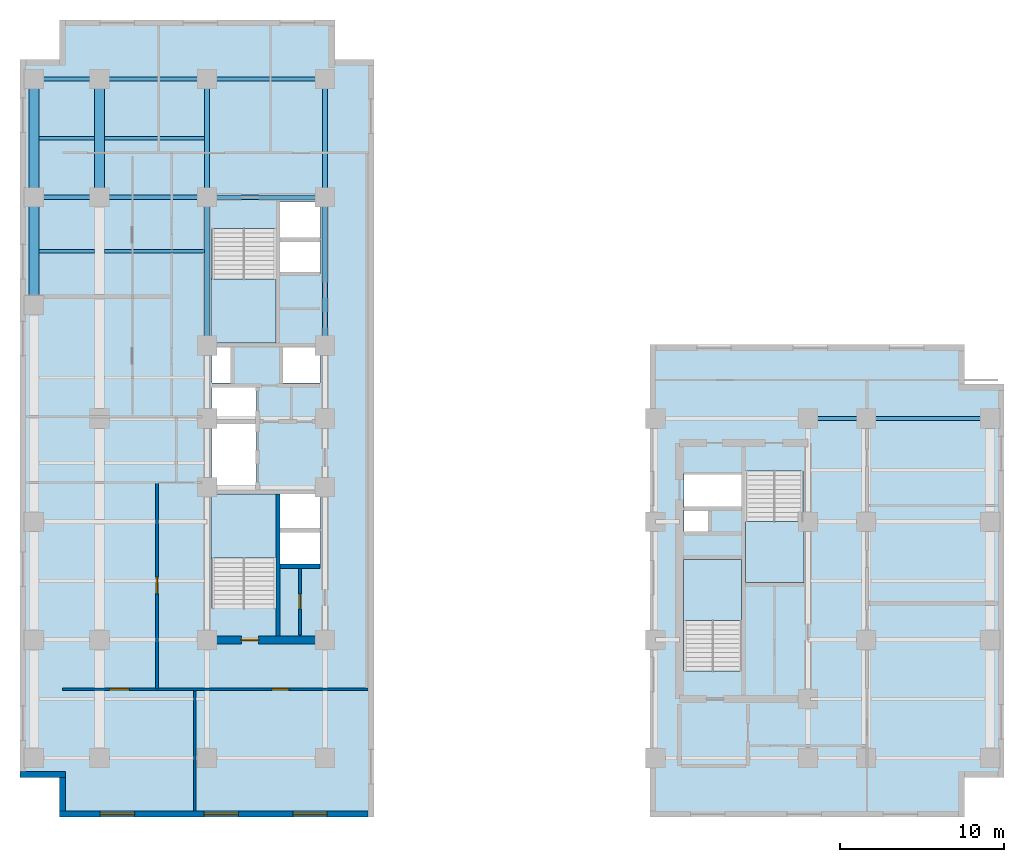
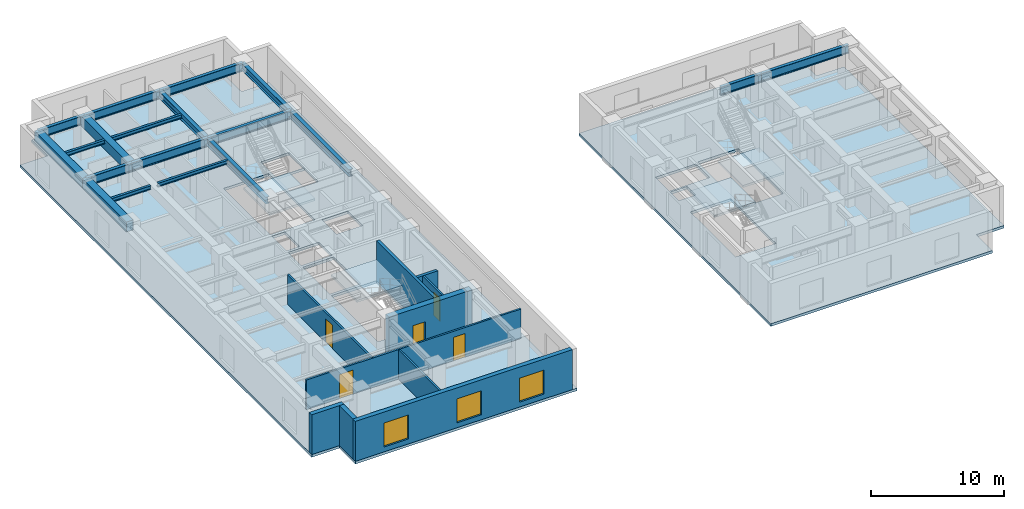
# One storey, part 2 of 9: 19 beams, 10 walls, 6 slabs, 5 doors, 3 windows, 8 openings, 4 elements without a shape of their own.
"""IFC4 building model written with IfcOpenShell, lengths in metres."""

from ifc_helpers import new_model, entity, si_unit, converted_unit, direction, frame, origin_with_axes, origin_2d_with_axis, place, context, subcontext, project, spatial, polyline, rectangle, i_section, outline, extrude, material, layer, layer_set, material_profile, profile_set, type_object, element, fill, aggregate, save


model = new_model("IFC4")

# Units and contexts
model_context = context("Model", 3, precision=1e-05, world=origin_with_axes(), true_north=direction((0.0, 1.0)))
body_context = subcontext(model_context, "Body", "Model", "MODEL_VIEW")
ifc_project = project(units=[si_unit("LENGTHUNIT", "METRE"), si_unit("AREAUNIT", "SQUARE_METRE"), si_unit("VOLUMEUNIT", "CUBIC_METRE"), converted_unit("PLANEANGLEUNIT", "DEGREE", entity("IfcPlaneAngleMeasure", 0.017453292519943295), si_unit("PLANEANGLEUNIT", "RADIAN"), dimensions=[0, 0, 0, 0, 0, 0, 0]), si_unit("MASSUNIT", "GRAM", prefix="KILO"), si_unit("THERMODYNAMICTEMPERATUREUNIT", "KELVIN")], contexts=[model_context])

# Site, building, storey
site_placement = place(None, origin_with_axes())
site = spatial("IfcSite", under=ifc_project, at=site_placement, CompositionType="ELEMENT")
building_placement = place(site_placement, origin_with_axes())
building = spatial("IfcBuilding", under=site, at=building_placement, Name="Varnlund Millrace Tower", CompositionType="ELEMENT")
storey_placement = place(building_placement, frame((0.0, 0.0, 112.5), z_axis=(0.0, 0.0, 1.0), x_axis=(1.0, 0.0, 0.0)))
storey = spatial("IfcBuildingStorey", under=building, at=storey_placement, Name="L27", CompositionType="ELEMENT", Elevation=112.5)

# Beams
ifc_material_1 = material(Name="Steel ASTM A992 Grade 50", Category="steel")
ifc_material_profile_1 = material_profile(ifc_material_1, i_section(OverallWidth=0.328, OverallDepth=0.628, WebThickness=0.0165, FlangeThickness=0.0277, FilletRadius=0.018, at=origin_2d_with_axis()), Name="Steel ASTM A992 Grade 50")
ifc_profile_set_1 = profile_set([ifc_material_profile_1], Name="Steel ASTM A992 Grade 50")
beam_type_1 = type_object("IfcBeamType", Name="Type-Girder-W24X146", PredefinedType="USERDEFINED", material=ifc_profile_set_1)
beam_1_placement = place(storey_placement, frame((11.4, 28.75, 3.346), z_axis=(0.0, 1.0, 0.0), x_axis=(-1.0, 0.0, 0.0)))
element("IfcBeam", 1, at=beam_1_placement, inside=storey, type_object=beam_type_1, Name="Type-Girder-W24X146", ObjectType="GIRDER", PredefinedType="USERDEFINED", context=body_context, shape_type="SweptSolid", body=[
    extrude(i_section(OverallWidth=0.328, OverallDepth=0.628, WebThickness=0.0165, FlangeThickness=0.0277, FilletRadius=0.018, at=origin_2d_with_axis()), origin_with_axes(), (0.0, 0.0, 1.0), 9.05),
])
beam_2_placement = place(storey_placement, frame((11.4, 37.8, 3.346), z_axis=(0.0, 1.0, 0.0), x_axis=(-1.0, 0.0, 0.0)))
element("IfcBeam", 2, at=beam_2_placement, inside=storey, type_object=beam_type_1, Name="Type-Girder-W24X146", ObjectType="GIRDER", PredefinedType="USERDEFINED", context=body_context, shape_type="SweptSolid", body=[
    extrude(i_section(OverallWidth=0.328, OverallDepth=0.628, WebThickness=0.0165, FlangeThickness=0.0277, FilletRadius=0.018, at=origin_2d_with_axis()), origin_with_axes(), (0.0, 0.0, 1.0), 7.2),
])
beam_3_placement = place(storey_placement, frame((18.6, 28.75, 3.346), z_axis=(0.0, 1.0, 0.0), x_axis=(-1.0, 0.0, 0.0)))
element("IfcBeam", 3, at=beam_3_placement, inside=storey, type_object=beam_type_1, Name="Type-Girder-W24X146", ObjectType="GIRDER", PredefinedType="USERDEFINED", context=body_context, shape_type="SweptSolid", body=[
    extrude(i_section(OverallWidth=0.328, OverallDepth=0.628, WebThickness=0.0165, FlangeThickness=0.0277, FilletRadius=0.018, at=origin_2d_with_axis()), origin_with_axes(), (0.0, 0.0, 1.0), 9.05),
])
beam_4_placement = place(storey_placement, frame((18.6, 37.8, 3.346), z_axis=(0.0, 1.0, 0.0), x_axis=(-1.0, 0.0, 0.0)))
element("IfcBeam", 4, at=beam_4_placement, inside=storey, type_object=beam_type_1, Name="Type-Girder-W24X146", ObjectType="GIRDER", PredefinedType="USERDEFINED", context=body_context, shape_type="SweptSolid", body=[
    extrude(i_section(OverallWidth=0.328, OverallDepth=0.628, WebThickness=0.0165, FlangeThickness=0.0277, FilletRadius=0.018, at=origin_2d_with_axis()), origin_with_axes(), (0.0, 0.0, 1.0), 7.2),
])
ifc_material_profile_2 = material_profile(ifc_material_1, i_section(OverallWidth=0.266, OverallDepth=0.779, WebThickness=0.0165, FlangeThickness=0.03, FilletRadius=0.02, at=origin_2d_with_axis()), Name="Steel ASTM A992 Grade 50")
ifc_profile_set_2 = profile_set([ifc_material_profile_2], Name="Steel ASTM A992 Grade 50")
beam_type_2 = type_object("IfcBeamType", Name="Type-Girder-W30X148", PredefinedType="USERDEFINED", material=ifc_profile_set_2)
beam_5_placement = place(storey_placement, frame((48.05, 24.3, 3.2705), z_axis=(1.0, 0.0, 0.0), x_axis=(0.0, 1.0, 0.0)))
element("IfcBeam", 5, at=beam_5_placement, inside=storey, type_object=beam_type_2, Name="Type-Girder-W30X148", ObjectType="GIRDER", PredefinedType="USERDEFINED", context=body_context, shape_type="SweptSolid", body=[
    extrude(i_section(OverallWidth=0.266, OverallDepth=0.779, WebThickness=0.0165, FlangeThickness=0.03, FilletRadius=0.02, at=origin_2d_with_axis()), origin_with_axes(), (0.0, 0.0, 1.0), 3.55),
])
beam_6_placement = place(storey_placement, frame((51.6, 24.3, 3.2705), z_axis=(1.0, 0.0, 0.0), x_axis=(0.0, 1.0, 0.0)))
element("IfcBeam", 6, at=beam_6_placement, inside=storey, type_object=beam_type_2, Name="Type-Girder-W30X148", ObjectType="GIRDER", PredefinedType="USERDEFINED", context=body_context, shape_type="SweptSolid", body=[
    extrude(i_section(OverallWidth=0.266, OverallDepth=0.779, WebThickness=0.0165, FlangeThickness=0.03, FilletRadius=0.02, at=origin_2d_with_axis()), origin_with_axes(), (0.0, 0.0, 1.0), 7.55),
])
beam_7_placement = place(storey_placement, frame((0.85, 37.8, 3.2705), z_axis=(1.0, 0.0, 0.0), x_axis=(0.0, 1.0, 0.0)))
element("IfcBeam", 7, at=beam_7_placement, inside=storey, type_object=beam_type_2, Name="Type-Girder-W30X148", ObjectType="GIRDER", PredefinedType="USERDEFINED", context=body_context, shape_type="SweptSolid", body=[
    extrude(i_section(OverallWidth=0.266, OverallDepth=0.779, WebThickness=0.0165, FlangeThickness=0.03, FilletRadius=0.02, at=origin_2d_with_axis()), origin_with_axes(), (0.0, 0.0, 1.0), 4.0),
])
beam_8_placement = place(storey_placement, frame((4.85, 37.8, 3.2705), z_axis=(1.0, 0.0, 0.0), x_axis=(0.0, 1.0, 0.0)))
element("IfcBeam", 8, at=beam_8_placement, inside=storey, type_object=beam_type_2, Name="Type-Girder-W30X148", ObjectType="GIRDER", PredefinedType="USERDEFINED", context=body_context, shape_type="SweptSolid", body=[
    extrude(i_section(OverallWidth=0.266, OverallDepth=0.779, WebThickness=0.0165, FlangeThickness=0.03, FilletRadius=0.02, at=origin_2d_with_axis()), origin_with_axes(), (0.0, 0.0, 1.0), 6.55),
])
beam_9_placement = place(storey_placement, frame((11.4, 37.8, 3.2705), z_axis=(1.0, 0.0, 0.0), x_axis=(0.0, 1.0, 0.0)))
element("IfcBeam", 9, at=beam_9_placement, inside=storey, type_object=beam_type_2, Name="Type-Girder-W30X148", ObjectType="GIRDER", PredefinedType="USERDEFINED", context=body_context, shape_type="SweptSolid", body=[
    extrude(i_section(OverallWidth=0.266, OverallDepth=0.779, WebThickness=0.0165, FlangeThickness=0.03, FilletRadius=0.02, at=origin_2d_with_axis()), origin_with_axes(), (0.0, 0.0, 1.0), 7.2),
])
beam_10_placement = place(storey_placement, frame((0.85, 45.0, 3.2705), z_axis=(1.0, 0.0, 0.0), x_axis=(0.0, 1.0, 0.0)))
element("IfcBeam", 10, at=beam_10_placement, inside=storey, type_object=beam_type_2, Name="Type-Girder-W30X148", ObjectType="GIRDER", PredefinedType="USERDEFINED", context=body_context, shape_type="SweptSolid", body=[
    extrude(i_section(OverallWidth=0.266, OverallDepth=0.779, WebThickness=0.0165, FlangeThickness=0.03, FilletRadius=0.02, at=origin_2d_with_axis()), origin_with_axes(), (0.0, 0.0, 1.0), 4.0),
])
beam_11_placement = place(storey_placement, frame((4.85, 45.0, 3.2705), z_axis=(1.0, 0.0, 0.0), x_axis=(0.0, 1.0, 0.0)))
element("IfcBeam", 11, at=beam_11_placement, inside=storey, type_object=beam_type_2, Name="Type-Girder-W30X148", ObjectType="GIRDER", PredefinedType="USERDEFINED", context=body_context, shape_type="SweptSolid", body=[
    extrude(i_section(OverallWidth=0.266, OverallDepth=0.779, WebThickness=0.0165, FlangeThickness=0.03, FilletRadius=0.02, at=origin_2d_with_axis()), origin_with_axes(), (0.0, 0.0, 1.0), 6.55),
])
beam_12_placement = place(storey_placement, frame((11.4, 45.0, 3.2705), z_axis=(1.0, 0.0, 0.0), x_axis=(0.0, 1.0, 0.0)))
element("IfcBeam", 12, at=beam_12_placement, inside=storey, type_object=beam_type_2, Name="Type-Girder-W30X148", ObjectType="GIRDER", PredefinedType="USERDEFINED", context=body_context, shape_type="SweptSolid", body=[
    extrude(i_section(OverallWidth=0.266, OverallDepth=0.779, WebThickness=0.0165, FlangeThickness=0.03, FilletRadius=0.02, at=origin_2d_with_axis()), origin_with_axes(), (0.0, 0.0, 1.0), 7.2),
])
ifc_material_profile_3 = material_profile(ifc_material_1, i_section(OverallWidth=0.204, OverallDepth=0.35, WebThickness=0.0086, FlangeThickness=0.0151, FilletRadius=0.013, at=origin_2d_with_axis()), Name="Steel ASTM A992 Grade 50")
ifc_profile_set_3 = profile_set([ifc_material_profile_3], Name="Steel ASTM A992 Grade 50")
beam_type_3 = type_object("IfcBeamType", Name="Type-Joist-W14X48", PredefinedType="JOIST", material=ifc_profile_set_3)
for number, where, z_axis, x_axis, name in (
    (13, (1.15, 34.5, 3.485), (1.0, 0.0, 0.0), (0.0, 1.0, 0.0), "Type-Joist-W14X48"),
    (14, (1.15, 41.4, 3.485), (1.0, 0.0, 0.0), (0.0, 1.0, 0.0), "Type-Joist-W14X48"),
):
    element("IfcBeam", number, at=place(storey_placement, frame(where, z_axis=z_axis, x_axis=x_axis)), inside=storey, type_object=beam_type_3, Name=name, PredefinedType="JOIST", context=body_context, shape_type="SweptSolid", body=[
        extrude(i_section(OverallWidth=0.204, OverallDepth=0.35, WebThickness=0.0086, FlangeThickness=0.0151, FilletRadius=0.013, at=origin_2d_with_axis()), origin_with_axes(), (0.0, 0.0, 1.0), 3.4),
    ])
for number, where, z_axis, x_axis, name in (
    (15, (5.15, 34.5, 3.485), (1.0, 0.0, 0.0), (0.0, 1.0, 0.0), "Type-Joist-W14X48"),
    (16, (5.15, 41.4, 3.485), (1.0, 0.0, 0.0), (0.0, 1.0, 0.0), "Type-Joist-W14X48"),
):
    element("IfcBeam", number, at=place(storey_placement, frame(where, z_axis=z_axis, x_axis=x_axis)), inside=storey, type_object=beam_type_3, Name=name, PredefinedType="JOIST", context=body_context, shape_type="SweptSolid", body=[
        extrude(i_section(OverallWidth=0.204, OverallDepth=0.35, WebThickness=0.0086, FlangeThickness=0.0151, FilletRadius=0.013, at=origin_2d_with_axis()), origin_with_axes(), (0.0, 0.0, 1.0), 6.086),
    ])
ifc_material_2 = material(Name="Concrete C70/85", Category="concrete")
ifc_material_profile_4 = material_profile(ifc_material_2, rectangle(XDim=0.6, YDim=0.9, at=origin_2d_with_axis()), Name="Concrete C70/85")
ifc_profile_set_4 = profile_set([ifc_material_profile_4], Name="Concrete C70/85")
beam_type_4 = type_object("IfcBeamType", Name="Type-Spandrel-RC600X900", PredefinedType="SPANDREL", material=ifc_profile_set_4)
beam_13_placement = place(storey_placement, frame((0.85, 31.2, 3.21), z_axis=(0.0, 1.0, 0.0), x_axis=(-1.0, 0.0, 0.0)))
element("IfcBeam", 17, at=beam_13_placement, inside=storey, type_object=beam_type_4, Name="Type-Spandrel-RC600X900", PredefinedType="SPANDREL", context=body_context, shape_type="SweptSolid", body=[
    extrude(rectangle(XDim=0.6, YDim=0.9, at=origin_2d_with_axis()), origin_with_axes(), (0.0, 0.0, 1.0), 6.6),
])
for number, where, z_axis, x_axis, name in (
    (18, (0.85, 37.8, 3.21), (0.0, 1.0, 0.0), (-1.0, 0.0, 0.0), "Type-Spandrel-RC600X900"),
    (19, (4.85, 37.8, 3.21), (0.0, 1.0, 0.0), (-1.0, 0.0, 0.0), "Type-Spandrel-RC600X900"),
):
    element("IfcBeam", number, at=place(storey_placement, frame(where, z_axis=z_axis, x_axis=x_axis)), inside=storey, type_object=beam_type_4, Name=name, PredefinedType="SPANDREL", context=body_context, shape_type="SweptSolid", body=[
        extrude(rectangle(XDim=0.6, YDim=0.9, at=origin_2d_with_axis()), origin_with_axes(), (0.0, 0.0, 1.0), 7.2),
    ])

# Slabs
ifc_material_3 = material(Name="Concrete C60/75", Category="concrete")
ifc_layer_1 = layer(ifc_material_3, 0.24, Name="Concrete C60/75")
ifc_layer_set_1 = layer_set([ifc_layer_1], Name="Concrete C60/75")
slab_type_1 = type_object("IfcSlabType", Name="Type-Deck-Plate-Typical-240", PredefinedType="FLOOR", material=ifc_layer_set_1)
slab_1_placement = place(storey_placement, frame((0.0, 0.0, -0.24), z_axis=(0.0, 0.0, 1.0), x_axis=(1.0, 0.0, 0.0)))
element("IfcSlab", 20, at=slab_1_placement, inside=storey, type_object=slab_type_1, Name="Type-Deck-Plate-Typical-240", PredefinedType="FLOOR", context=body_context, shape_type="SweptSolid", body=[
    extrude(outline(polyline([(2.4, 2.4), (2.4, 0.0), (21.6, 0.0), (21.6, 46.2), (19.2, 46.2), (19.2, 48.6), (2.4, 48.6), (2.4, 46.2), (0.0, 46.2), (0.0, 2.4), (2.4, 2.4)]), holes=[polyline([(15.6, 19.7), (15.6, 12.715), (11.7, 12.715), (11.7, 19.7), (15.6, 19.7)]), polyline([(11.7, 23.98), (14.38, 23.98), (14.38, 19.94), (11.7, 19.94), (11.7, 23.98)]), polyline([(14.38, 24.24), (11.7, 24.24), (11.7, 26.2), (14.38, 26.2), (14.38, 24.24)]), polyline([(12.84, 26.46), (11.7, 26.46), (11.7, 28.65), (12.84, 28.65), (12.84, 26.46)]), polyline([(15.6, 35.885), (15.6, 28.9), (11.7, 28.9), (11.7, 35.885), (15.6, 35.885)]), polyline([(18.3, 15.34), (15.84, 15.34), (15.84, 17.46), (18.3, 17.46), (18.3, 15.34)]), polyline([(18.3, 17.52), (15.84, 17.52), (15.84, 19.7), (18.3, 19.7), (18.3, 17.52)]), polyline([(18.3, 28.65), (18.3, 26.46), (16.04, 26.46), (16.04, 28.65), (18.3, 28.65)]), polyline([(18.3, 33.12), (15.84, 33.12), (15.84, 35.18), (18.3, 35.18), (18.3, 33.12)]), polyline([(18.3, 35.22), (15.84, 35.22), (15.84, 37.5), (18.3, 37.5), (18.3, 35.22)])]), origin_with_axes(), (0.0, 0.0, 1.0), 0.24),
])
slab_2_placement = place(storey_placement, frame((0.0, 0.0, -0.24), z_axis=(0.0, 0.0, 1.0), x_axis=(1.0, 0.0, 0.0)))
element("IfcSlab", 21, at=slab_2_placement, inside=storey, type_object=slab_type_1, Name="Type-Deck-Plate-Typical-240", PredefinedType="FLOOR", context=body_context, shape_type="SweptSolid", body=[
    extrude(outline(polyline([(38.4, 0.0), (57.6, 0.0), (57.6, 2.4), (60.0, 2.4), (60.0, 26.4), (57.6, 26.4), (57.6, 28.8), (38.4, 28.8), (38.4, 0.0)]), holes=[polyline([(40.5, 15.7), (44.0, 15.7), (44.0, 8.915), (40.5, 8.915), (40.5, 15.7)]), polyline([(44.25, 21.085), (47.75, 21.085), (47.75, 14.3), (44.25, 14.3), (44.25, 21.085)]), polyline([(40.5, 18.72), (41.95, 18.72), (41.95, 17.42), (40.5, 17.42), (40.5, 18.72)]), polyline([(40.5, 20.94), (44.0, 20.94), (44.0, 18.88), (40.5, 18.88), (40.5, 20.94)])]), origin_with_axes(), (0.0, 0.0, 1.0), 0.24),
])

# Stair, slab
ifc_material_4 = material(Name="Concrete C50/60", Category="concrete")
stair_type_1 = type_object("IfcStairType", Name="Type-Stair-Dogleg-185-390", PredefinedType="HALF_TURN_STAIR", material=ifc_material_4)
stair_1_placement = place(storey_placement, origin_with_axes())
stair_1 = element("IfcStair", 22, at=stair_1_placement, inside=storey, type_object=stair_type_1, Name="Type-Stair-Dogleg-185-390", PredefinedType="HALF_TURN_STAIR")
ifc_layer_2 = layer(ifc_material_4, 0.2, Name="Concrete C50/60")
ifc_layer_set_2 = layer_set([ifc_layer_2], Name="Concrete C50/60")
slab_type_2 = type_object("IfcSlabType", Name="Type-StairLanding-200", PredefinedType="LANDING", material=ifc_layer_set_2)
slab_3_placement = place(storey_placement, frame((0.0, 0.0, 1.75), z_axis=(0.0, 0.0, 1.0), x_axis=(1.0, 0.0, 0.0)))
slab_3 = element("IfcSlab", 23, at=slab_3_placement, type_object=slab_type_2, Name="ST-A1 landing 1", PredefinedType="LANDING", context=body_context, shape_type="SweptSolid", body=[
    extrude(outline(polyline([(15.6, 15.78), (15.6, 19.7), (11.65, 19.7), (11.65, 15.78), (15.6, 15.78)])), origin_with_axes(), (0.0, 0.0, 1.0), 0.2),
])
aggregate(stair_1, [slab_3])

stair_2_placement = place(storey_placement, origin_with_axes())
stair_2 = element("IfcStair", 24, at=stair_2_placement, inside=storey, type_object=stair_type_1, Name="Type-Stair-Dogleg-185-390", PredefinedType="HALF_TURN_STAIR")
slab_4_placement = place(storey_placement, frame((0.0, 0.0, 1.75), z_axis=(0.0, 0.0, 1.0), x_axis=(1.0, 0.0, 0.0)))
slab_4 = element("IfcSlab", 25, at=slab_4_placement, type_object=slab_type_2, Name="ST-A2 landing 1", PredefinedType="LANDING", context=body_context, shape_type="SweptSolid", body=[
    extrude(outline(polyline([(11.65, 32.82), (11.65, 28.9), (15.6, 28.9), (15.6, 32.82), (11.65, 32.82)])), origin_with_axes(), (0.0, 0.0, 1.0), 0.2),
])
aggregate(stair_2, [slab_4])

stair_type_2 = type_object("IfcStairType", Name="Type-Stair-Dogleg-165-390", PredefinedType="HALF_TURN_STAIR", material=ifc_material_4)
stair_3_placement = place(storey_placement, origin_with_axes())
stair_3 = element("IfcStair", 26, at=stair_3_placement, inside=storey, type_object=stair_type_2, Name="Type-Stair-Dogleg-165-390", PredefinedType="HALF_TURN_STAIR")
slab_5_placement = place(storey_placement, frame((0.0, 0.0, 1.75), z_axis=(0.0, 0.0, 1.0), x_axis=(1.0, 0.0, 0.0)))
slab_5 = element("IfcSlab", 27, at=slab_5_placement, type_object=slab_type_2, Name="ST-B1 landing 1", PredefinedType="LANDING", context=body_context, shape_type="SweptSolid", body=[
    extrude(outline(polyline([(44.0, 11.98), (44.0, 15.7), (40.45, 15.7), (40.45, 11.98), (44.0, 11.98)])), origin_with_axes(), (0.0, 0.0, 1.0), 0.2),
])
aggregate(stair_3, [slab_5])

stair_4_placement = place(storey_placement, origin_with_axes())
stair_4 = element("IfcStair", 28, at=stair_4_placement, inside=storey, type_object=stair_type_2, Name="Type-Stair-Dogleg-165-390", PredefinedType="HALF_TURN_STAIR")
slab_6_placement = place(storey_placement, frame((0.0, 0.0, 1.75), z_axis=(0.0, 0.0, 1.0), x_axis=(1.0, 0.0, 0.0)))
slab_6 = element("IfcSlab", 29, at=slab_6_placement, type_object=slab_type_2, Name="ST-B2 landing 1", PredefinedType="LANDING", context=body_context, shape_type="SweptSolid", body=[
    extrude(outline(polyline([(44.25, 18.02), (44.25, 14.3), (47.8, 14.3), (47.8, 18.02), (44.25, 18.02)])), origin_with_axes(), (0.0, 0.0, 1.0), 0.2),
])
aggregate(stair_4, [slab_6])

# Wall, opening, door
ifc_layer_3 = layer(ifc_material_2, 0.5, Name="Concrete C70/85")
ifc_layer_set_3 = layer_set([ifc_layer_3], Name="Concrete C70/85")
wall_type_1 = type_object("IfcWallType", Name="Type-CoreWall-Shear-500-C70", PredefinedType="SHEAR", material=ifc_layer_set_3)
wall_1_placement = place(storey_placement, frame((11.4, 10.8, 0.0), z_axis=(0.0, 0.0, 1.0), x_axis=(1.0, 0.0, 0.0)))
wall_1 = element("IfcWall", 30, at=wall_1_placement, inside=storey, type_object=wall_type_1, Name="Type-CoreWall-Shear-500-C70", PredefinedType="SHEAR", context=body_context, shape_type="SweptSolid", body=[
    extrude(outline(polyline([(0.0, -0.25), (7.2, -0.25), (7.2, 0.25), (0.0, 0.25), (0.0, -0.25)])), origin_with_axes(), (0.0, 0.0, 1.0), 3.66),
])
opening_1_placement = place(wall_1_placement, frame((2.625, 0.0, 0.0), z_axis=(0.0, 0.0, 1.0), x_axis=(1.0, 0.0, 0.0)))
opening_1 = element("IfcOpeningElement", 31, at=opening_1_placement, cuts=wall_1, Name="Opening L27:DR-STA1", PredefinedType="OPENING", context=body_context, shape_type="SweptSolid", body=[
    extrude(rectangle(XDim=1.05, YDim=0.52, at=origin_2d_with_axis()), origin_with_axes(), (0.0, 0.0, 1.0), 2.15),
])
ifc_material_5 = material(Name="Fire-rated hollow steel door", Category="steel")
door_type_1 = type_object("IfcDoorType", Name="Type-FireDoor-Stair-1050X2150", OperationType="NOTDEFINED", PredefinedType="DOOR", material=ifc_material_5)
door_1_placement = place(wall_1_placement, frame((2.625, 0.0, 0.0), z_axis=(0.0, 0.0, 1.0), x_axis=(1.0, 0.0, 0.0)))
door_1 = element("IfcDoor", 32, at=door_1_placement, inside=storey, type_object=door_type_1, Name="Type-FireDoor-Stair-1050X2150", OperationType="SINGLE_SWING_LEFT", OverallHeight=2.15, OverallWidth=1.05, PredefinedType="DOOR", context=body_context, shape_type="SweptSolid", body=[
    extrude(rectangle(XDim=1.05, YDim=0.09, at=origin_2d_with_axis()), origin_with_axes(), (0.0, 0.0, 1.0), 2.15),
])
fill(opening_1, door_1)

# Wall, openings, windows
ifc_material_6 = material(Name="Precast concrete C50/60", Category="concrete")
ifc_layer_4 = layer(ifc_material_6, 0.38, Name="Precast concrete C50/60")
ifc_layer_set_4 = layer_set([ifc_layer_4], Name="Precast concrete C50/60")
wall_type_2 = type_object("IfcWallType", Name="Type-ExtWall-Precast-Tube-380", PredefinedType="SOLIDWALL", material=ifc_layer_set_4)
wall_2_placement = place(storey_placement, frame((21.22, 0.19, 0.0), z_axis=(0.0, 0.0, 1.0), x_axis=(-1.0, 0.0, 0.0)))
wall_2 = element("IfcWall", 33, at=wall_2_placement, inside=storey, type_object=wall_type_2, Name="Type-ExtWall-Precast-Tube-380", PredefinedType="SOLIDWALL", context=body_context, shape_type="SweptSolid", body=[
    extrude(outline(polyline([(0.0, -0.19), (18.82, -0.19), (18.82, 0.19), (0.0, 0.19), (0.0, -0.19)])), origin_with_axes(), (0.0, 0.0, 1.0), 3.66),
])
opening_2_placement = place(wall_2_placement, frame((3.537, 0.0, 0.45), z_axis=(0.0, 0.0, 1.0), x_axis=(1.0, 0.0, 0.0)))
opening_2 = element("IfcOpeningElement", 34, at=opening_2_placement, cuts=wall_2, Name="Opening L27:WN-11", PredefinedType="OPENING", context=body_context, shape_type="SweptSolid", body=[
    extrude(rectangle(XDim=2.1, YDim=0.4, at=origin_2d_with_axis()), origin_with_axes(), (0.0, 0.0, 1.0), 2.2),
])
opening_3_placement = place(wall_2_placement, frame((8.96, 0.0, 0.45), z_axis=(0.0, 0.0, 1.0), x_axis=(1.0, 0.0, 0.0)))
opening_3 = element("IfcOpeningElement", 35, at=opening_3_placement, cuts=wall_2, Name="Opening L27:WN-12", PredefinedType="OPENING", context=body_context, shape_type="SweptSolid", body=[
    extrude(rectangle(XDim=2.1, YDim=0.4, at=origin_2d_with_axis()), origin_with_axes(), (0.0, 0.0, 1.0), 2.2),
])
opening_4_placement = place(wall_2_placement, frame((15.283, 0.0, 0.45), z_axis=(0.0, 0.0, 1.0), x_axis=(1.0, 0.0, 0.0)))
opening_4 = element("IfcOpeningElement", 36, at=opening_4_placement, cuts=wall_2, Name="Opening L27:WN-13", PredefinedType="OPENING", context=body_context, shape_type="SweptSolid", body=[
    extrude(rectangle(XDim=2.1, YDim=0.4, at=origin_2d_with_axis()), origin_with_axes(), (0.0, 0.0, 1.0), 2.2),
])
ifc_material_7 = material(Name="Argon low-e triple glazing in thermally broken bronze frame", Category="glass")
window_type = type_object("IfcWindowType", Name="Type-Window-Punched-2100X2200", PartitioningType="SINGLE_PANEL", PredefinedType="WINDOW", material=ifc_material_7)
window_1_placement = place(wall_2_placement, frame((3.537, 0.0, 0.45), z_axis=(0.0, 0.0, 1.0), x_axis=(1.0, 0.0, 0.0)))
window_1 = element("IfcWindow", 37, at=window_1_placement, inside=storey, type_object=window_type, Name="Type-Window-Punched-2100X2200", OverallHeight=2.2, OverallWidth=2.1, PredefinedType="WINDOW", context=body_context, shape_type="SweptSolid", body=[
    extrude(rectangle(XDim=2.1, YDim=0.09, at=origin_2d_with_axis()), origin_with_axes(), (0.0, 0.0, 1.0), 2.2),
])
fill(opening_2, window_1)
window_2_placement = place(wall_2_placement, frame((8.96, 0.0, 0.45), z_axis=(0.0, 0.0, 1.0), x_axis=(1.0, 0.0, 0.0)))
window_2 = element("IfcWindow", 38, at=window_2_placement, inside=storey, type_object=window_type, Name="Type-Window-Punched-2100X2200", OverallHeight=2.2, OverallWidth=2.1, PredefinedType="WINDOW", context=body_context, shape_type="SweptSolid", body=[
    extrude(rectangle(XDim=2.1, YDim=0.09, at=origin_2d_with_axis()), origin_with_axes(), (0.0, 0.0, 1.0), 2.2),
])
fill(opening_3, window_2)
window_3_placement = place(wall_2_placement, frame((15.283, 0.0, 0.45), z_axis=(0.0, 0.0, 1.0), x_axis=(1.0, 0.0, 0.0)))
window_3 = element("IfcWindow", 39, at=window_3_placement, inside=storey, type_object=window_type, Name="Type-Window-Punched-2100X2200", OverallHeight=2.2, OverallWidth=2.1, PredefinedType="WINDOW", context=body_context, shape_type="SweptSolid", body=[
    extrude(rectangle(XDim=2.1, YDim=0.09, at=origin_2d_with_axis()), origin_with_axes(), (0.0, 0.0, 1.0), 2.2),
])
fill(opening_4, window_3)

# Walls
wall_3_placement = place(storey_placement, frame((2.59, 0.38, 0.0), z_axis=(0.0, 0.0, 1.0), x_axis=(0.0, 1.0, 0.0)))
element("IfcWall", 40, at=wall_3_placement, inside=storey, type_object=wall_type_2, Name="Type-ExtWall-Precast-Tube-380", PredefinedType="SOLIDWALL", context=body_context, shape_type="SweptSolid", body=[
    extrude(outline(polyline([(0.0, -0.19), (2.02, -0.19), (2.02, 0.19), (0.0, 0.19), (0.0, -0.19)])), origin_with_axes(), (0.0, 0.0, 1.0), 3.66),
])
wall_4_placement = place(storey_placement, frame((2.78, 2.59, 0.0), z_axis=(0.0, 0.0, 1.0), x_axis=(-1.0, 0.0, 0.0)))
element("IfcWall", 41, at=wall_4_placement, inside=storey, type_object=wall_type_2, Name="Type-ExtWall-Precast-Tube-380", PredefinedType="SOLIDWALL", context=body_context, shape_type="SweptSolid", body=[
    extrude(outline(polyline([(0.0, -0.19), (2.78, -0.19), (2.78, 0.19), (0.0, 0.19), (0.0, -0.19)])), origin_with_axes(), (0.0, 0.0, 1.0), 3.66),
])

# Wall, opening, door
ifc_material_8 = material(Name="Fire-rated gypsum board on cold-formed steel framing", Category="steel")
ifc_layer_5 = layer(ifc_material_8, 0.16, Name="Fire-rated gypsum board on cold-formed steel framing")
ifc_layer_set_5 = layer_set([ifc_layer_5], Name="Fire-rated gypsum board on cold-formed steel framing")
wall_type_3 = type_object("IfcWallType", Name="Type-Partition-Corridor-160", PredefinedType="PARTITIONING", material=ifc_layer_set_5)
wall_5_placement = place(storey_placement, frame((17.07, 11.1, 0.0), z_axis=(0.0, 0.0, 1.0), x_axis=(0.0, 1.0, 0.0)))
wall_5 = element("IfcWall", 42, at=wall_5_placement, inside=storey, type_object=wall_type_3, Name="Type-Partition-Corridor-160", PredefinedType="PARTITIONING", context=body_context, shape_type="SweptSolid", body=[
    extrude(outline(polyline([(0.0, -0.08), (4.1, -0.08), (4.1, 0.08), (0.0, 0.08), (0.0, -0.08)])), origin_with_axes(), (0.0, 0.0, 1.0), 2.7),
])
opening_5_placement = place(wall_5_placement, frame((2.05, 0.0, 0.0), z_axis=(0.0, 0.0, 1.0), x_axis=(1.0, 0.0, 0.0)))
opening_5 = element("IfcOpeningElement", 43, at=opening_5_placement, cuts=wall_5, Name="Opening L27:DR-RECL-L1", PredefinedType="OPENING", context=body_context, shape_type="SweptSolid", body=[
    extrude(rectangle(XDim=0.9, YDim=0.18, at=origin_2d_with_axis()), origin_with_axes(), (0.0, 0.0, 1.0), 2.15),
])
ifc_material_9 = material(Name="Painted steel riser and closet door", Category="steel")
door_type_2 = type_object("IfcDoorType", Name="Type-IntDoor-Closet-900X2150", OperationType="NOTDEFINED", PredefinedType="DOOR", material=ifc_material_9)
door_2_placement = place(wall_5_placement, frame((2.05, 0.0, 0.0), z_axis=(0.0, 0.0, 1.0), x_axis=(1.0, 0.0, 0.0)))
door_2 = element("IfcDoor", 44, at=door_2_placement, inside=storey, type_object=door_type_2, Name="Type-IntDoor-Closet-900X2150", OperationType="SINGLE_SWING_LEFT", OverallHeight=2.15, OverallWidth=0.9, PredefinedType="DOOR", context=body_context, shape_type="SweptSolid", body=[
    extrude(rectangle(XDim=0.9, YDim=0.09, at=origin_2d_with_axis()), origin_with_axes(), (0.0, 0.0, 1.0), 2.15),
])
fill(opening_5, door_2)

# Wall, openings, doors
wall_6_placement = place(storey_placement, frame((2.6, 7.8, 0.0), z_axis=(0.0, 0.0, 1.0), x_axis=(1.0, 0.0, 0.0)))
wall_6 = element("IfcWall", 45, at=wall_6_placement, inside=storey, type_object=wall_type_3, Name="Type-Partition-Corridor-160", PredefinedType="PARTITIONING", context=body_context, shape_type="SweptSolid", body=[
    extrude(outline(polyline([(0.0, -0.08), (18.625, -0.08), (18.625, 0.08), (0.0, 0.08), (0.0, -0.08)])), origin_with_axes(), (0.0, 0.0, 1.0), 2.7),
])
opening_6_placement = place(wall_6_placement, frame((3.459, 0.0, 0.0), z_axis=(0.0, 0.0, 1.0), x_axis=(1.0, 0.0, 0.0)))
opening_6 = element("IfcOpeningElement", 46, at=opening_6_placement, cuts=wall_6, Name="Opening L27:DR-WAS-01", PredefinedType="OPENING", context=body_context, shape_type="SweptSolid", body=[
    extrude(rectangle(XDim=1.2, YDim=0.18, at=origin_2d_with_axis()), origin_with_axes(), (0.0, 0.0, 1.0), 2.2),
])
opening_7_placement = place(wall_6_placement, frame((13.2745, 0.0, 0.0), z_axis=(0.0, 0.0, 1.0), x_axis=(1.0, 0.0, 0.0)))
opening_7 = element("IfcOpeningElement", 47, at=opening_7_placement, cuts=wall_6, Name="Opening L27:DR-WAS-02", PredefinedType="OPENING", context=body_context, shape_type="SweptSolid", body=[
    extrude(rectangle(XDim=1.0, YDim=0.18, at=origin_2d_with_axis()), origin_with_axes(), (0.0, 0.0, 1.0), 2.15),
])
ifc_material_10 = material(Name="Wide executive white oak acoustic door")
door_type_3 = type_object("IfcDoorType", Name="Type-IntDoor-Exec-1200X2200", OperationType="NOTDEFINED", PredefinedType="DOOR", material=ifc_material_10)
door_3_placement = place(wall_6_placement, frame((3.459, 0.0, 0.0), z_axis=(0.0, 0.0, 1.0), x_axis=(1.0, 0.0, 0.0)))
door_3 = element("IfcDoor", 48, at=door_3_placement, inside=storey, type_object=door_type_3, Name="Type-IntDoor-Exec-1200X2200", OperationType="SINGLE_SWING_LEFT", OverallHeight=2.2, OverallWidth=1.2, PredefinedType="DOOR", context=body_context, shape_type="SweptSolid", body=[
    extrude(rectangle(XDim=1.2, YDim=0.09, at=origin_2d_with_axis()), origin_with_axes(), (0.0, 0.0, 1.0), 2.2),
])
fill(opening_6, door_3)
ifc_material_11 = material(Name="Solid-core white oak and bronze frame door")
door_type_4 = type_object("IfcDoorType", Name="Type-IntDoor-Office-1000X2150", OperationType="NOTDEFINED", PredefinedType="DOOR", material=ifc_material_11)
door_4_placement = place(wall_6_placement, frame((13.2745, 0.0, 0.0), z_axis=(0.0, 0.0, 1.0), x_axis=(1.0, 0.0, 0.0)))
door_4 = element("IfcDoor", 49, at=door_4_placement, inside=storey, type_object=door_type_4, Name="Type-IntDoor-Office-1000X2150", OperationType="SINGLE_SWING_RIGHT", OverallHeight=2.15, OverallWidth=1.0, PredefinedType="DOOR", context=body_context, shape_type="SweptSolid", body=[
    extrude(rectangle(XDim=1.0, YDim=0.09, at=origin_2d_with_axis()), origin_with_axes(), (0.0, 0.0, 1.0), 2.15),
])
fill(opening_7, door_4)

# Wall, opening, door
wall_7_placement = place(storey_placement, frame((8.35, 7.8, 0.0), z_axis=(0.0, 0.0, 1.0), x_axis=(0.0, 1.0, 0.0)))
wall_7 = element("IfcWall", 50, at=wall_7_placement, inside=storey, type_object=wall_type_3, Name="Type-Partition-Corridor-160", PredefinedType="PARTITIONING", context=body_context, shape_type="SweptSolid", body=[
    extrude(outline(polyline([(0.0, -0.08), (12.6, -0.08), (12.6, 0.08), (0.0, 0.08), (0.0, -0.08)])), origin_with_axes(), (0.0, 0.0, 1.0), 2.7),
])
opening_8_placement = place(wall_7_placement, frame((6.325, 0.0, 0.0), z_axis=(0.0, 0.0, 1.0), x_axis=(1.0, 0.0, 0.0)))
opening_8 = element("IfcOpeningElement", 51, at=opening_8_placement, cuts=wall_7, Name="Opening L27:DR-WS-01", PredefinedType="OPENING", context=body_context, shape_type="SweptSolid", body=[
    extrude(rectangle(XDim=1.0, YDim=0.18, at=origin_2d_with_axis()), origin_with_axes(), (0.0, 0.0, 1.0), 2.15),
])
door_5_placement = place(wall_7_placement, frame((6.325, 0.0, 0.0), z_axis=(0.0, 0.0, 1.0), x_axis=(1.0, 0.0, 0.0)))
door_5 = element("IfcDoor", 52, at=door_5_placement, inside=storey, type_object=door_type_4, Name="Type-IntDoor-Office-1000X2150", OperationType="SINGLE_SWING_LEFT", OverallHeight=2.15, OverallWidth=1.0, PredefinedType="DOOR", context=body_context, shape_type="SweptSolid", body=[
    extrude(rectangle(XDim=1.0, YDim=0.09, at=origin_2d_with_axis()), origin_with_axes(), (0.0, 0.0, 1.0), 2.15),
])
fill(opening_8, door_5)

# Walls
ifc_material_12 = material(Name="Acoustic STC-50 gypsum board partition", Category="gypsum")
ifc_layer_6 = layer(ifc_material_12, 0.15, Name="Acoustic STC-50 gypsum board partition")
ifc_layer_set_6 = layer_set([ifc_layer_6], Name="Acoustic STC-50 gypsum board partition")
wall_type_4 = type_object("IfcWallType", Name="Type-Partition-Demising-150", PredefinedType="PARTITIONING", material=ifc_layer_set_6)
wall_8_placement = place(storey_placement, frame((10.649, 0.36, 0.0), z_axis=(0.0, 0.0, 1.0), x_axis=(0.0, 1.0, 0.0)))
element("IfcWall", 53, at=wall_8_placement, inside=storey, type_object=wall_type_4, Name="Type-Partition-Demising-150", PredefinedType="PARTITIONING", context=body_context, shape_type="SweptSolid", body=[
    extrude(outline(polyline([(0.0, -0.075), (7.34, -0.075), (7.34, 0.075), (0.0, 0.075), (0.0, -0.075)])), origin_with_axes(), (0.0, 0.0, 1.0), 2.7),
])
ifc_layer_7 = layer(ifc_material_3, 0.25, Name="Concrete C60/75")
ifc_layer_set_7 = layer_set([ifc_layer_7], Name="Concrete C60/75")
wall_type_5 = type_object("IfcWallType", Name="Type-ShaftWall-Fire-250", PredefinedType="SOLIDWALL", material=ifc_layer_set_7)
wall_9_placement = place(storey_placement, frame((15.84, 15.29, 0.0), z_axis=(0.0, 0.0, 1.0), x_axis=(1.0, 0.0, 0.0)))
element("IfcWall", 54, at=wall_9_placement, inside=storey, type_object=wall_type_5, Name="Type-ShaftWall-Fire-250", PredefinedType="SOLIDWALL", context=body_context, shape_type="SweptSolid", body=[
    extrude(outline(polyline([(0.0, -0.125), (2.46, -0.125), (2.46, 0.125), (0.0, 0.125), (0.0, -0.125)])), origin_with_axes(), (0.0, 0.0, 1.0), 2.7),
])
wall_type_6 = type_object("IfcWallType", Name="Type-StairWall-Shear-250", PredefinedType="SHEAR", material=ifc_layer_set_7)
wall_10_placement = place(storey_placement, frame((15.725, 11.05, 0.0), z_axis=(0.0, 0.0, 1.0), x_axis=(0.0, 1.0, 0.0)))
element("IfcWall", 55, at=wall_10_placement, inside=storey, type_object=wall_type_6, Name="Type-StairWall-Shear-250", PredefinedType="SHEAR", context=body_context, shape_type="SweptSolid", body=[
    extrude(outline(polyline([(0.0, -0.125), (8.65, -0.125), (8.65, 0.125), (0.0, 0.125), (0.0, -0.125)])), origin_with_axes(), (0.0, 0.0, 1.0), 3.66),
])

save(model, "model.ifc")
